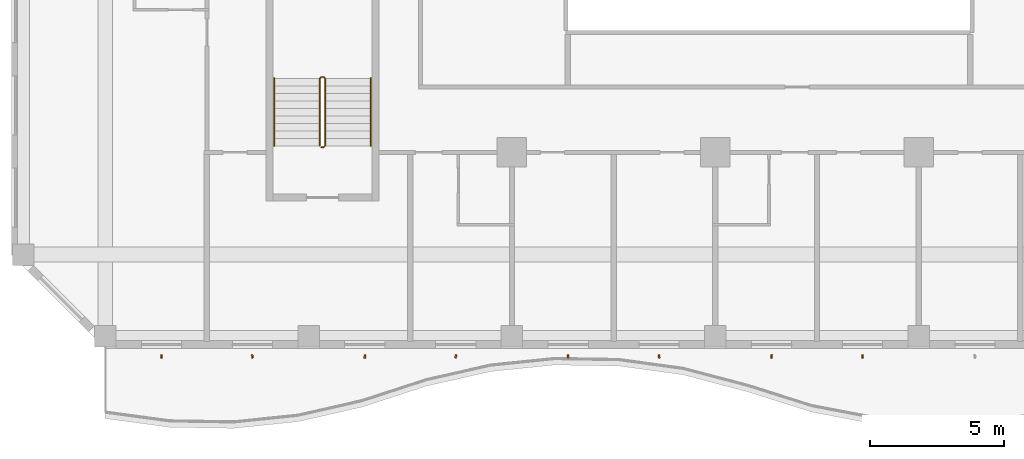
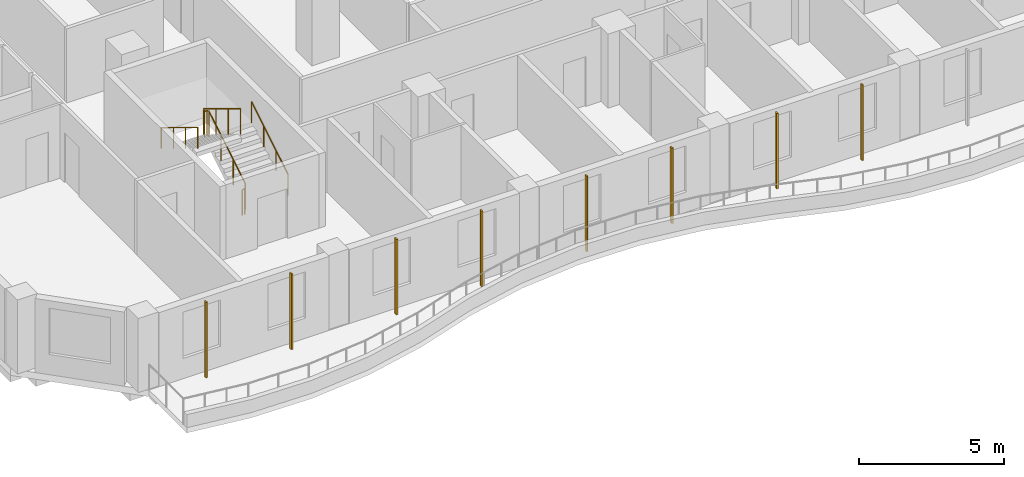
# One storey, part 15 of 22: 8 shading devices, 3 railings.
"""IFC4 building model written with IfcOpenShell, lengths in metres."""

import ifcopenshell
import ifcopenshell.guid

model = None  # the IFC model being written
_history = None  # IfcOwnerHistory: only IFC2X3 demands one
_inside = {}  # id of a spatial element -> (the spatial element, [elements in it])
_under = {}  # id of a project, library or spatial element -> (it, [spatial elements below it])
_declared = {}  # id of a project -> (the project, [libraries it declares])
_typed = {}  # id of a type object -> (the type object, [elements of that type])
_made_of = {}  # id of a material, layer set ... -> (it, [elements and type objects made of it])


def new_model(schema):
    """Start an empty IFC model of exactly this schema.

    Asked for "IFC4X3", IfcOpenShell would pick the latest addendum, in which some entities
    have other attributes; the version numbers below select the first issue.
    IFC2X3 requires an IfcOwnerHistory on every rooted entity: one is made here for all.
    """
    global model, _history
    if schema == "IFC4X3":
        model = ifcopenshell.file(schema_version=(4, 3, 0, 0))
    else:
        model = ifcopenshell.file(schema=schema)
    _inside.clear()
    _under.clear()
    _declared.clear()
    _typed.clear()
    _made_of.clear()
    _history = None
    if model.schema == "IFC2X3":
        org = make("IfcOrganization", Name="unknown")
        user = make(
            "IfcPersonAndOrganization",
            ThePerson=make("IfcPerson", FamilyName="unknown"),
            TheOrganization=org,
        )
        app = make(
            "IfcApplication",
            ApplicationDeveloper=org,
            Version="unknown",
            ApplicationFullName="unknown",
            ApplicationIdentifier="unknown",
        )
        _history = make(
            "IfcOwnerHistory",
            OwningUser=user,
            OwningApplication=app,
            ChangeAction="ADDED",
            CreationDate=0,
        )
    return model


def make(cls, **values):
    """One entity of the class cls with the attributes given. An attribute that is None is left unset."""
    return model.create_entity(
        cls, **{name: value for name, value in values.items() if value is not None}
    )


def rooted(cls, **values):
    """An entity with a GlobalId (a new one), such as an element, a storey or a relation."""
    return make(cls, GlobalId=ifcopenshell.guid.new(), OwnerHistory=_history, **values)


def si_unit(unit_type, name, prefix=None):
    """IfcSIUnit, for example si_unit("LENGTHUNIT", "METRE", prefix="MILLI")."""
    return make("IfcSIUnit", UnitType=unit_type, Prefix=prefix, Name=name)


def assignment(units):
    """IfcUnitAssignment: the units of a project."""
    return None if units is None else make("IfcUnitAssignment", Units=units)


def point(xyz):
    """IfcCartesianPoint."""
    return None if xyz is None else make("IfcCartesianPoint", Coordinates=xyz)


def direction(xyz):
    """IfcDirection."""
    return None if xyz is None else make("IfcDirection", DirectionRatios=xyz)


def frame(location, z_axis=None, x_axis=None):
    """IfcAxis2Placement3D, a coordinate frame: its origin and axes. An axis left out is left unset."""
    return make(
        "IfcAxis2Placement3D",
        Location=point(location),
        Axis=direction(z_axis),
        RefDirection=direction(x_axis),
    )


def frame_2d(location, x_axis=None):
    """IfcAxis2Placement2D, a coordinate frame in the plane: its origin and x axis."""
    return make(
        "IfcAxis2Placement2D", Location=point(location), RefDirection=direction(x_axis)
    )


def origin():
    """The frame at (0, 0, 0) with its axes left unset."""
    return frame((0.0, 0.0, 0.0))


def origin_2d():
    """The frame at (0, 0) in the plane with its x axis left unset."""
    return frame_2d((0.0, 0.0))


def place(relative_to, where):
    """IfcLocalPlacement: puts the frame where relative to a parent placement (None: the world)."""
    return make(
        "IfcLocalPlacement", PlacementRelTo=relative_to, RelativePlacement=where
    )


def context(
    kind, dimensions, precision=None, world=None, true_north=None, identifier=None
):
    """IfcGeometricRepresentationContext, for example the 3D "Model" context."""
    return make(
        "IfcGeometricRepresentationContext",
        ContextIdentifier=identifier,
        ContextType=kind,
        CoordinateSpaceDimension=dimensions,
        Precision=precision,
        WorldCoordinateSystem=world,
        TrueNorth=true_north,
    )


def subcontext(parent, identifier, kind, view, scale=None):
    """IfcGeometricRepresentationSubContext, for example "Body" below "Model"."""
    return make(
        "IfcGeometricRepresentationSubContext",
        ContextIdentifier=identifier,
        ContextType=kind,
        ParentContext=parent,
        TargetScale=scale,
        TargetView=view,
    )


def project(units=None, contexts=None):
    """IfcProject with its units and contexts."""
    return rooted(
        "IfcProject",
        Name="project",
        RepresentationContexts=contexts,
        UnitsInContext=assignment(units),
    )


def spatial(cls, under=None, at=None, **own):
    """A site, building, storey or space (cls), placed at a placement, below another one or the project."""
    s = rooted(cls, ObjectPlacement=at, **own)
    if under is not None:
        _under.setdefault(under.id(), (under, []))[1].append(s)
    return s


def profile(cls, at=None, kind="AREA", **sizes):
    """A parametric profile (cls). Its sizes go by their IFC names, for example OverallWidth=200.0."""
    return make(cls, ProfileType=kind, Position=at, **sizes)


def rectangle(**sizes):
    """IfcRectangleProfileDef."""
    return profile("IfcRectangleProfileDef", **sizes)


def circle(**sizes):
    """IfcCircleProfileDef."""
    return profile("IfcCircleProfileDef", **sizes)


def extrude(swept, where, along, depth):
    """IfcExtrudedAreaSolid: the profile swept, set in the frame where, extruded along a direction by depth."""
    return make(
        "IfcExtrudedAreaSolid",
        SweptArea=swept,
        Position=where,
        ExtrudedDirection=direction(along),
        Depth=depth,
    )


def shape(context_of_items, identifier, shape_type, items):
    """IfcShapeRepresentation: the items that make up one representation, for example the "Body"."""
    return make(
        "IfcShapeRepresentation",
        ContextOfItems=context_of_items,
        RepresentationIdentifier=identifier,
        RepresentationType=shape_type,
        Items=items,
    )


def source(mapping_origin, context_of_items, identifier, shape_type, items):
    """IfcRepresentationMap: a shape defined once, which mapped items show again and again."""
    return make(
        "IfcRepresentationMap",
        MappingOrigin=mapping_origin,
        MappedRepresentation=shape(context_of_items, identifier, shape_type, items),
    )


def transform(
    local_origin,
    x_axis=None,
    y_axis=None,
    z_axis=None,
    scale=None,
    scale2=None,
    scale3=None,
    uniform=True,
):
    """IfcCartesianTransformationOperator3D, or its non-uniform kind. x_axis, y_axis, z_axis: its Axis1, 2, 3."""
    if uniform:
        return make(
            "IfcCartesianTransformationOperator3D",
            Axis1=direction(x_axis),
            Axis2=direction(y_axis),
            LocalOrigin=point(local_origin),
            Scale=scale,
            Axis3=direction(z_axis),
        )
    return make(
        "IfcCartesianTransformationOperator3DnonUniform",
        Axis1=direction(x_axis),
        Axis2=direction(y_axis),
        LocalOrigin=point(local_origin),
        Scale=scale,
        Axis3=direction(z_axis),
        Scale2=scale2,
        Scale3=scale3,
    )


def mapped(mapping_source, mapping_target):
    """IfcMappedItem: shows the shape of a source again, moved by a transform."""
    return make(
        "IfcMappedItem", MappingSource=mapping_source, MappingTarget=mapping_target
    )


def material(Name=None, Category=None):
    """IfcMaterial."""
    return make("IfcMaterial", Name=Name, Category=Category)


def material_profile(
    of_material, cross_section, Name=None, Category=None, Priority=None
):
    """IfcMaterialProfile: a cross section and its material."""
    return make(
        "IfcMaterialProfile",
        Name=Name,
        Material=of_material,
        Profile=cross_section,
        Priority=Priority,
        Category=Category,
    )


def profile_set(profiles, Name=None, composite=None):
    """IfcMaterialProfileSet."""
    return make(
        "IfcMaterialProfileSet",
        Name=Name,
        MaterialProfiles=profiles,
        CompositeProfile=composite,
    )


def made_of(thing, what):
    """Note that an element or type object is made of a material, layer set ...; save() writes the relation."""
    if what is not None:
        _made_of.setdefault(what.id(), (what, []))[1].append(thing)
    return thing


def type_object(cls, material=None, **own):
    """A type object (cls), such as IfcWallType, which elements share."""
    return made_of(rooted(cls, **own), material)


def element(
    cls,
    number,
    at=None,
    inside=None,
    cuts=None,
    type_object=None,
    material=None,
    context=None,
    identifier="Body",
    shape_type=None,
    held_by="IfcProductDefinitionShape",
    body=None,
    shapes=None,
    **own,
):
    """One element of the class cls, such as IfcWall. Its Tag is "e" and its number.

    at: its placement. inside: the storey or other place that contains it. cuts: it is an
    opening in that element (IfcRelVoidsElement). A single representation is given by context,
    identifier, shape_type and body (its items); several are given by shapes. held_by: the class
    of the entity that holds the representations. save() writes the other relations.
    """
    e = rooted(cls, Tag="e%d" % number, ObjectPlacement=at, **own)
    if body is not None:
        shapes = [shape(context, identifier, shape_type, body)]
    if shapes is not None:
        e.Representation = make(held_by, Representations=shapes)
    if inside is not None:
        _inside.setdefault(inside.id(), (inside, []))[1].append(e)
    if cuts is not None:
        rooted(
            "IfcRelVoidsElement", RelatingBuildingElement=cuts, RelatedOpeningElement=e
        )
    if type_object is not None:
        _typed.setdefault(type_object.id(), (type_object, []))[1].append(e)
    return made_of(e, material)


def aggregate(whole, parts):
    """IfcRelAggregates: a whole, such as a stair, and the parts it consists of."""
    return rooted("IfcRelAggregates", RelatingObject=whole, RelatedObjects=parts)


def save(model, path):
    """Write the relations noted so far, then the file.

    IfcRelAggregates (storeys below a building ...), IfcRelContainedInSpatialStructure (elements
    in a storey), IfcRelDefinesByType, IfcRelAssociatesMaterial and IfcRelDeclares: one each for
    every whole, place, type object, material and project.
    """
    for whole, parts in _under.values():
        aggregate(whole, parts)
    for where, things in _inside.values():
        rooted(
            "IfcRelContainedInSpatialStructure",
            RelatedElements=things,
            RelatingStructure=where,
        )
    for kind, things in _typed.values():
        rooted("IfcRelDefinesByType", RelatedObjects=things, RelatingType=kind)
    for what, things in _made_of.values():
        rooted("IfcRelAssociatesMaterial", RelatedObjects=things, RelatingMaterial=what)
    for by, libraries in _declared.values():
        rooted("IfcRelDeclares", RelatingContext=by, RelatedDefinitions=libraries)
    model.write(path)


model = new_model("IFC4")

# Units and contexts
model_context = context("Model", 3, precision=1e-05, world=origin(), true_north=direction((0.0, 1.0)))
body_context = subcontext(model_context, "Body", "Model", "MODEL_VIEW")
ifc_project = project(units=[si_unit("LENGTHUNIT", "METRE"), si_unit("AREAUNIT", "SQUARE_METRE"), si_unit("VOLUMEUNIT", "CUBIC_METRE"), si_unit("PLANEANGLEUNIT", "RADIAN"), si_unit("MASSUNIT", "GRAM", prefix="KILO")], contexts=[model_context])

# Site, building, storey
site_placement = place(None, origin())
site = spatial("IfcSite", under=ifc_project, at=site_placement, CompositionType="ELEMENT")
building_placement = place(site_placement, origin())
building = spatial("IfcBuilding", under=site, at=building_placement, Name="Kilnfold Tower and Market Hall", CompositionType="ELEMENT")
storey_placement = place(building_placement, frame((0.0, 0.0, 143.89990234375)))
storey = spatial("IfcBuildingStorey", under=building, at=storey_placement, Name="L32", CompositionType="ELEMENT", Elevation=143.89990234375)

# Railings
ifc_material_1 = material(Name="Stainless steel 316", Category="steel")
railing_type_1 = type_object("IfcRailingType", Name="CORE STAIR GUARD 1100", PredefinedType="GUARDRAIL", material=ifc_material_1)
railing_1_placement = place(storey_placement, frame((-15.699951171875, -13.75, 0.0)))
element("IfcRailing", 1, at=railing_1_placement, inside=storey, type_object=railing_type_1, Name="L32 ST3 stair guard 1", PredefinedType="GUARDRAIL", context=body_context, shape_type="SweptSolid", body=[
    extrude(circle(Radius=0.02392578125, at=origin_2d()), frame((0.0, 0.0, 1.076171875), z_axis=(1.0, 0.0, 0.0), x_axis=(0.0, 1.0, 0.0)), (0.0, 0.0, 1.0), 0.099853515625),
    extrude(circle(Radius=0.02392578125, at=origin_2d()), frame((0.099853515625, 0.0, 1.076171875), z_axis=(0.271562723297, 0.271562723297, 0.923313259209), x_axis=(-0.707106781187, 0.707106781187, 0.0)), (0.0, 0.0, 1.0), 0.184326171875),
    extrude(circle(Radius=0.02392578125, at=origin_2d()), frame((0.14990234375, 0.050048828125, 1.24609375), z_axis=(0.0, 0.85478489116, 0.518982456201), x_axis=(-1.0, 0.0, 0.0)), (0.0, 0.0, 1.0), 2.9482421875),
    extrude(circle(Radius=0.02392578125, at=origin_2d()), frame((0.14990234375, 2.570068359375, 2.7763671875), z_axis=(-0.707106781187, 0.707106781187, 0.0), x_axis=(-0.707106781187, -0.707106781187, 0.0)), (0.0, 0.0, 1.0), 0.07080078125),
    extrude(circle(Radius=0.02392578125, at=origin_2d()), frame((0.099853515625, 2.6201171875, 2.7763671875), z_axis=(-1.0, 0.0, 0.0), x_axis=(0.0, -1.0, 0.0)), (0.0, 0.0, 1.0), 0.099853515625),
    extrude(circle(Radius=0.02392578125, at=origin_2d()), frame((0.0, 2.6201171875, 2.7763671875), z_axis=(-0.271895245746, -0.271895245746, 0.923117517265), x_axis=(0.707106781187, -0.707106781187, 0.0)), (0.0, 0.0, 1.0), 0.18408203125),
    extrude(circle(Radius=0.02392578125, at=origin_2d()), frame((-0.050048828125, 2.570068359375, 2.9462890625), z_axis=(0.0, -0.85478489116, 0.518982456201), x_axis=(1.0, 0.0, 0.0)), (0.0, 0.0, 1.0), 2.9482421875),
    extrude(circle(Radius=0.02099609375, at=origin_2d()), origin(), (0.0, 0.0, 1.0), 1.052001953125),
    extrude(circle(Radius=0.02099609375, at=origin_2d()), frame((0.099853515625, 0.0, 0.0)), (0.0, 0.0, 1.0), 1.052001953125),
    extrude(circle(Radius=0.02099609375, at=origin_2d()), frame((0.14990234375, 0.050048828125, 0.170166015625)), (0.0, 0.0, 1.0), 1.052001953125),
    extrude(circle(Radius=0.02099609375, at=origin_2d()), frame((0.14990234375, 0.89013671875, 0.68017578125)), (0.0, 0.0, 1.0), 1.052001953125),
    extrude(circle(Radius=0.02099609375, at=origin_2d()), frame((0.14990234375, 1.72998046875, 1.190185546875)), (0.0, 0.0, 1.0), 1.052001953125),
    extrude(circle(Radius=0.02099609375, at=origin_2d()), frame((0.14990234375, 2.570068359375, 1.7001953125)), (0.0, 0.0, 1.0), 1.052001953125),
    extrude(circle(Radius=0.02099609375, at=origin_2d()), frame((0.099853515625, 2.6201171875, 1.7001953125)), (0.0, 0.0, 1.0), 1.052001953125),
    extrude(circle(Radius=0.02099609375, at=origin_2d()), frame((0.0, 2.6201171875, 1.7001953125)), (0.0, 0.0, 1.0), 1.052001953125),
    extrude(circle(Radius=0.02099609375, at=origin_2d()), frame((-0.050048828125, 2.570068359375, 1.8701171875)), (0.0, 0.0, 1.0), 1.052001953125),
    extrude(circle(Radius=0.02099609375, at=origin_2d()), frame((-0.050048828125, 1.72998046875, 2.380126953125)), (0.0, 0.0, 1.0), 1.052001953125),
    extrude(circle(Radius=0.02099609375, at=origin_2d()), frame((-0.050048828125, 0.89013671875, 2.89013671875)), (0.0, 0.0, 1.0), 1.052001953125),
    extrude(circle(Radius=0.02099609375, at=origin_2d()), frame((-0.050048828125, 0.050048828125, 3.400146484375)), (0.0, 0.0, 1.0), 1.052001953125),
])
ifc_material_2 = material(Name="Stainless steel 316", Category="steel")
railing_type_2 = type_object("IfcRailingType", Name="CORE STAIR HANDRAIL 900", PredefinedType="HANDRAIL", material=ifc_material_2)
railing_2_placement = place(storey_placement, frame((-13.85009765625, -13.699951171875, 0.170166015625)))
element("IfcRailing", 2, at=railing_2_placement, inside=storey, type_object=railing_type_2, Name="L32 ST3 stair handrail 1", PredefinedType="HANDRAIL", context=body_context, shape_type="SweptSolid", body=[
    extrude(circle(Radius=0.02392578125, at=origin_2d()), frame((0.0, 0.0, 0.8759765625), z_axis=(0.0, 0.85478489116, 0.518982456201), x_axis=(-1.0, 0.0, 0.0)), (0.0, 0.0, 1.0), 2.9482421875),
    extrude(circle(Radius=0.02099609375, at=origin_2d()), origin(), (0.0, 0.0, 1.0), 0.851806640625),
    extrude(circle(Radius=0.02099609375, at=origin_2d()), frame((0.0, 0.840087890625, 0.510009765625)), (0.0, 0.0, 1.0), 0.851806640625),
    extrude(circle(Radius=0.02099609375, at=origin_2d()), frame((0.0, 1.679931640625, 1.02001953125)), (0.0, 0.0, 1.0), 0.851806640625),
    extrude(circle(Radius=0.02099609375, at=origin_2d()), frame((0.0, 2.52001953125, 1.530029296875)), (0.0, 0.0, 1.0), 0.851806640625),
])
railing_3_placement = place(storey_placement, frame((-17.449951171875, -11.179931640625, 1.8701171875)))
element("IfcRailing", 3, at=railing_3_placement, inside=storey, type_object=railing_type_2, Name="L32 ST3 stair handrail 2", PredefinedType="HANDRAIL", context=body_context, shape_type="SweptSolid", body=[
    extrude(circle(Radius=0.02392578125, at=origin_2d()), frame((0.0, 0.0, 0.8759765625), z_axis=(0.0, -0.85478489116, 0.518982456201), x_axis=(1.0, 0.0, 0.0)), (0.0, 0.0, 1.0), 2.9482421875),
    extrude(circle(Radius=0.02099609375, at=origin_2d()), origin(), (0.0, 0.0, 1.0), 0.851806640625),
    extrude(circle(Radius=0.02099609375, at=origin_2d()), frame((0.0, -0.840087890625, 0.510009765625)), (0.0, 0.0, 1.0), 0.851806640625),
    extrude(circle(Radius=0.02099609375, at=origin_2d()), frame((0.0, -1.679931640625, 1.02001953125)), (0.0, 0.0, 1.0), 0.851806640625),
    extrude(circle(Radius=0.02099609375, at=origin_2d()), frame((0.0, -2.52001953125, 1.530029296875)), (0.0, 0.0, 1.0), 0.851806640625),
])

# Shading devices
ifc_material_3 = material(Name="Terracotta", Category="masonry")
ifc_material_profile = material_profile(ifc_material_3, rectangle(XDim=0.06005859375, YDim=0.1201171875, at=origin_2d()), Name="BAG 60x120")
ifc_profile_set = profile_set([ifc_material_profile], Name="Terracotta")
shading_device_type = type_object("IfcShadingDeviceType", Name="BAGUETTE", PredefinedType="USERDEFINED", material=ifc_profile_set)
shared_shape = source(origin(), body_context, "Body", "SweptSolid", [
    extrude(rectangle(XDim=0.06005859375, YDim=0.1201171875, at=origin_2d()), origin(), (0.0, 0.0, 1.0), 3.18017578125),
])
for number, where, z_axis, x_axis, name in (
    (4, (-21.654296875, -21.550048828125, 0.0), (0.0, 0.0, 1.0), (0.99961840377, 0.027623302544, 0.0), "Terracotta baguette L32 S"),
    (5, (-18.2626953125, -21.550048828125, 0.0), (0.0, 0.0, 1.0), (0.990486660454, 0.137608776835, 0.0), "Terracotta baguette L32 S"),
    (6, (-14.07080078125, -21.550048828125, 0.0), (0.0, 0.0, 1.0), (0.998071838202, -0.06206936271, 0.0), "Terracotta baguette L32 S"),
    (7, (-10.67919921875, -21.550048828125, 0.0), (0.0, 0.0, 1.0), (0.991829111754, -0.127573559472, 0.0), "Terracotta baguette L32 S"),
    (8, (-6.4873046875, -21.550048828125, 0.0), (0.0, 0.0, 1.0), (0.995737585846, 0.092231557151, 0.0), "Terracotta baguette L32 S"),
    (9, (-3.095703125, -21.550048828125, 0.0), (0.0, 0.0, 1.0), (0.994056908234, 0.108861669984, 0.0), "Terracotta baguette L32 S"),
    (10, (1.095703125, -21.550048828125, 0.0), (0.0, 0.0, 1.0), (0.993243152243, -0.116051887198, 0.0), "Terracotta baguette L32 S"),
    (11, (4.4873046875, -21.550048828125, 0.0), (0.0, 0.0, 1.0), (0.996573591283, -0.082710804361, 0.0), "Terracotta baguette L32 S"),
):
    element("IfcShadingDevice", number, at=place(storey_placement, frame(where, z_axis=z_axis, x_axis=x_axis)), inside=storey, type_object=shading_device_type, Name=name, ObjectType="BAGUETTE", PredefinedType="USERDEFINED", context=body_context, shape_type="MappedRepresentation", body=[
        mapped(shared_shape, transform((0.0, 0.0, 0.0))),
    ])

save(model, "model.ifc")
